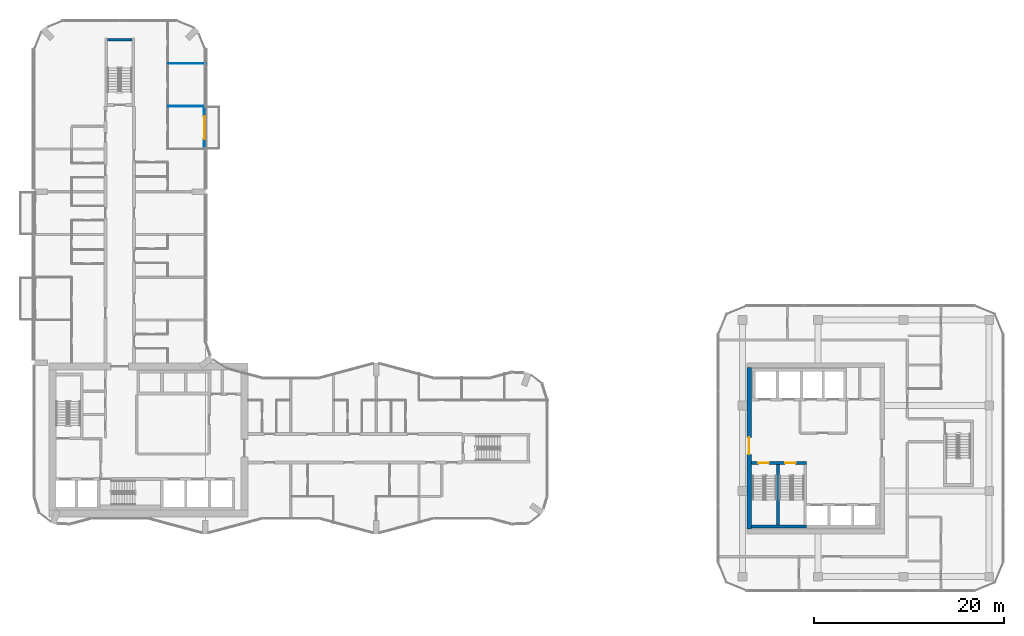
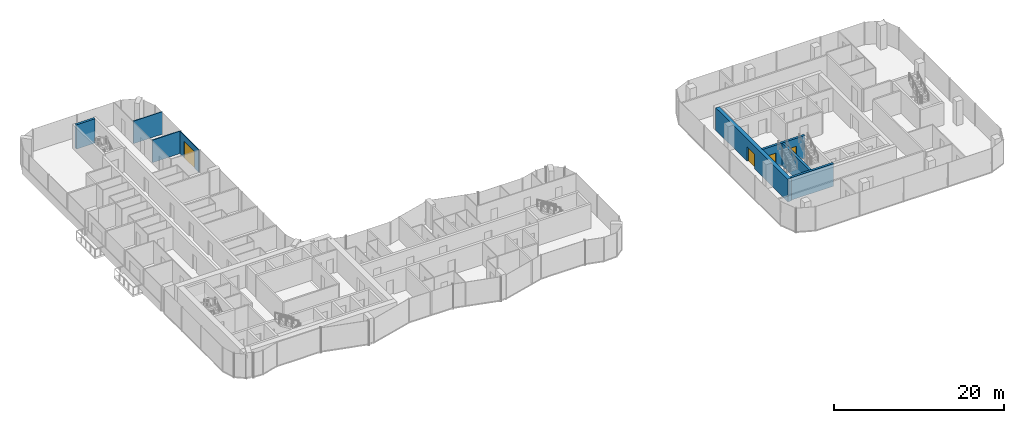
# One storey, part 18 of 24: 8 walls, 4 doors, 4 openings.
"""IFC4 building model written with IfcOpenShell, lengths in metres."""

import ifcopenshell
import ifcopenshell.guid

model = None  # the IFC model being written
_history = None  # IfcOwnerHistory: only IFC2X3 demands one
_inside = {}  # id of a spatial element -> (the spatial element, [elements in it])
_under = {}  # id of a project, library or spatial element -> (it, [spatial elements below it])
_declared = {}  # id of a project -> (the project, [libraries it declares])
_typed = {}  # id of a type object -> (the type object, [elements of that type])
_made_of = {}  # id of a material, layer set ... -> (it, [elements and type objects made of it])


def new_model(schema):
    """Start an empty IFC model of exactly this schema.

    Asked for "IFC4X3", IfcOpenShell would pick the latest addendum, in which some entities
    have other attributes; the version numbers below select the first issue.
    IFC2X3 requires an IfcOwnerHistory on every rooted entity: one is made here for all.
    """
    global model, _history
    if schema == "IFC4X3":
        model = ifcopenshell.file(schema_version=(4, 3, 0, 0))
    else:
        model = ifcopenshell.file(schema=schema)
    _inside.clear()
    _under.clear()
    _declared.clear()
    _typed.clear()
    _made_of.clear()
    _history = None
    if model.schema == "IFC2X3":
        org = make("IfcOrganization", Name="unknown")
        user = make(
            "IfcPersonAndOrganization",
            ThePerson=make("IfcPerson", FamilyName="unknown"),
            TheOrganization=org,
        )
        app = make(
            "IfcApplication",
            ApplicationDeveloper=org,
            Version="unknown",
            ApplicationFullName="unknown",
            ApplicationIdentifier="unknown",
        )
        _history = make(
            "IfcOwnerHistory",
            OwningUser=user,
            OwningApplication=app,
            ChangeAction="ADDED",
            CreationDate=0,
        )
    return model


def make(cls, **values):
    """One entity of the class cls with the attributes given. An attribute that is None is left unset."""
    return model.create_entity(
        cls, **{name: value for name, value in values.items() if value is not None}
    )


def rooted(cls, **values):
    """An entity with a GlobalId (a new one), such as an element, a storey or a relation."""
    return make(cls, GlobalId=ifcopenshell.guid.new(), OwnerHistory=_history, **values)


def si_unit(unit_type, name, prefix=None):
    """IfcSIUnit, for example si_unit("LENGTHUNIT", "METRE", prefix="MILLI")."""
    return make("IfcSIUnit", UnitType=unit_type, Prefix=prefix, Name=name)


def assignment(units):
    """IfcUnitAssignment: the units of a project."""
    return None if units is None else make("IfcUnitAssignment", Units=units)


def point(xyz):
    """IfcCartesianPoint."""
    return None if xyz is None else make("IfcCartesianPoint", Coordinates=xyz)


def direction(xyz):
    """IfcDirection."""
    return None if xyz is None else make("IfcDirection", DirectionRatios=xyz)


def frame(location, z_axis=None, x_axis=None):
    """IfcAxis2Placement3D, a coordinate frame: its origin and axes. An axis left out is left unset."""
    return make(
        "IfcAxis2Placement3D",
        Location=point(location),
        Axis=direction(z_axis),
        RefDirection=direction(x_axis),
    )


def frame_2d(location, x_axis=None):
    """IfcAxis2Placement2D, a coordinate frame in the plane: its origin and x axis."""
    return make(
        "IfcAxis2Placement2D", Location=point(location), RefDirection=direction(x_axis)
    )


def origin():
    """The frame at (0, 0, 0) with its axes left unset."""
    return frame((0.0, 0.0, 0.0))


def place(relative_to, where):
    """IfcLocalPlacement: puts the frame where relative to a parent placement (None: the world)."""
    return make(
        "IfcLocalPlacement", PlacementRelTo=relative_to, RelativePlacement=where
    )


def context(
    kind, dimensions, precision=None, world=None, true_north=None, identifier=None
):
    """IfcGeometricRepresentationContext, for example the 3D "Model" context."""
    return make(
        "IfcGeometricRepresentationContext",
        ContextIdentifier=identifier,
        ContextType=kind,
        CoordinateSpaceDimension=dimensions,
        Precision=precision,
        WorldCoordinateSystem=world,
        TrueNorth=true_north,
    )


def subcontext(parent, identifier, kind, view, scale=None):
    """IfcGeometricRepresentationSubContext, for example "Body" below "Model"."""
    return make(
        "IfcGeometricRepresentationSubContext",
        ContextIdentifier=identifier,
        ContextType=kind,
        ParentContext=parent,
        TargetScale=scale,
        TargetView=view,
    )


def project(units=None, contexts=None):
    """IfcProject with its units and contexts."""
    return rooted(
        "IfcProject",
        Name="project",
        RepresentationContexts=contexts,
        UnitsInContext=assignment(units),
    )


def spatial(cls, under=None, at=None, **own):
    """A site, building, storey or space (cls), placed at a placement, below another one or the project."""
    s = rooted(cls, ObjectPlacement=at, **own)
    if under is not None:
        _under.setdefault(under.id(), (under, []))[1].append(s)
    return s


def profile(cls, at=None, kind="AREA", **sizes):
    """A parametric profile (cls). Its sizes go by their IFC names, for example OverallWidth=200.0."""
    return make(cls, ProfileType=kind, Position=at, **sizes)


def rectangle(**sizes):
    """IfcRectangleProfileDef."""
    return profile("IfcRectangleProfileDef", **sizes)


def extrude(swept, where, along, depth):
    """IfcExtrudedAreaSolid: the profile swept, set in the frame where, extruded along a direction by depth."""
    return make(
        "IfcExtrudedAreaSolid",
        SweptArea=swept,
        Position=where,
        ExtrudedDirection=direction(along),
        Depth=depth,
    )


def shape(context_of_items, identifier, shape_type, items):
    """IfcShapeRepresentation: the items that make up one representation, for example the "Body"."""
    return make(
        "IfcShapeRepresentation",
        ContextOfItems=context_of_items,
        RepresentationIdentifier=identifier,
        RepresentationType=shape_type,
        Items=items,
    )


def material(Name=None, Category=None):
    """IfcMaterial."""
    return make("IfcMaterial", Name=Name, Category=Category)


def layer(
    of_material, thickness, ventilated=None, Name=None, Category=None, Priority=None
):
    """IfcMaterialLayer: one layer of a wall or slab, of a material (None: an air gap)."""
    return make(
        "IfcMaterialLayer",
        Material=of_material,
        LayerThickness=thickness,
        IsVentilated=ventilated,
        Name=Name,
        Category=Category,
        Priority=Priority,
    )


def layer_set(layers, Name=None):
    """IfcMaterialLayerSet."""
    return make("IfcMaterialLayerSet", MaterialLayers=layers, LayerSetName=Name)


def made_of(thing, what):
    """Note that an element or type object is made of a material, layer set ...; save() writes the relation."""
    if what is not None:
        _made_of.setdefault(what.id(), (what, []))[1].append(thing)
    return thing


def type_object(cls, material=None, **own):
    """A type object (cls), such as IfcWallType, which elements share."""
    return made_of(rooted(cls, **own), material)


def element(
    cls,
    number,
    at=None,
    inside=None,
    cuts=None,
    type_object=None,
    material=None,
    context=None,
    identifier="Body",
    shape_type=None,
    held_by="IfcProductDefinitionShape",
    body=None,
    shapes=None,
    **own,
):
    """One element of the class cls, such as IfcWall. Its Tag is "e" and its number.

    at: its placement. inside: the storey or other place that contains it. cuts: it is an
    opening in that element (IfcRelVoidsElement). A single representation is given by context,
    identifier, shape_type and body (its items); several are given by shapes. held_by: the class
    of the entity that holds the representations. save() writes the other relations.
    """
    e = rooted(cls, Tag="e%d" % number, ObjectPlacement=at, **own)
    if body is not None:
        shapes = [shape(context, identifier, shape_type, body)]
    if shapes is not None:
        e.Representation = make(held_by, Representations=shapes)
    if inside is not None:
        _inside.setdefault(inside.id(), (inside, []))[1].append(e)
    if cuts is not None:
        rooted(
            "IfcRelVoidsElement", RelatingBuildingElement=cuts, RelatedOpeningElement=e
        )
    if type_object is not None:
        _typed.setdefault(type_object.id(), (type_object, []))[1].append(e)
    return made_of(e, material)


def fill(opening, filler):
    """IfcRelFillsElement: the door or window that sits in an opening."""
    return rooted(
        "IfcRelFillsElement",
        RelatingOpeningElement=opening,
        RelatedBuildingElement=filler,
    )


def aggregate(whole, parts):
    """IfcRelAggregates: a whole, such as a stair, and the parts it consists of."""
    return rooted("IfcRelAggregates", RelatingObject=whole, RelatedObjects=parts)


def save(model, path):
    """Write the relations noted so far, then the file.

    IfcRelAggregates (storeys below a building ...), IfcRelContainedInSpatialStructure (elements
    in a storey), IfcRelDefinesByType, IfcRelAssociatesMaterial and IfcRelDeclares: one each for
    every whole, place, type object, material and project.
    """
    for whole, parts in _under.values():
        aggregate(whole, parts)
    for where, things in _inside.values():
        rooted(
            "IfcRelContainedInSpatialStructure",
            RelatedElements=things,
            RelatingStructure=where,
        )
    for kind, things in _typed.values():
        rooted("IfcRelDefinesByType", RelatedObjects=things, RelatingType=kind)
    for what, things in _made_of.values():
        rooted("IfcRelAssociatesMaterial", RelatedObjects=things, RelatingMaterial=what)
    for by, libraries in _declared.values():
        rooted("IfcRelDeclares", RelatingContext=by, RelatedDefinitions=libraries)
    model.write(path)


model = new_model("IFC4")

# Units and contexts
model_context = context("Model", 3, precision=1e-05, world=origin(), true_north=direction((0.0, 1.0)))
body_context = subcontext(model_context, "Body", "Model", "MODEL_VIEW")
ifc_project = project(units=[si_unit("LENGTHUNIT", "METRE"), si_unit("AREAUNIT", "SQUARE_METRE"), si_unit("VOLUMEUNIT", "CUBIC_METRE"), si_unit("PLANEANGLEUNIT", "RADIAN"), si_unit("MASSUNIT", "GRAM", prefix="KILO")], contexts=[model_context])

# Site, building, storey
site_placement = place(None, origin())
site = spatial("IfcSite", under=ifc_project, at=site_placement, CompositionType="ELEMENT")
building_placement = place(site_placement, origin())
building = spatial("IfcBuilding", under=site, at=building_placement, Name="Plateau Cross Towers", CompositionType="ELEMENT")
storey_placement = place(building_placement, frame((0.0, 0.0, 44.300048828125)))
storey = spatial("IfcBuildingStorey", under=building, at=storey_placement, Name="L10", CompositionType="ELEMENT", Elevation=44.300048828125)

# Wall, opening, door
ifc_material_1 = material(Name="Aluminium framed glazing", Category="aluminium")
ifc_layer_1 = layer(ifc_material_1, 0.10009765625)
ifc_layer_set_1 = layer_set([ifc_layer_1], Name="Aluminium framed glazing")
wall_type_1 = type_object("IfcWallType", Name="Balcony screen wall 100", PredefinedType="STANDARD", material=ifc_layer_set_1)
wall_1_placement = place(storey_placement, frame((17.89990234375, 45.0, 0.0), z_axis=(0.0, 0.0, 1.0), x_axis=(0.0, -1.0, 0.0)))
wall_1 = element("IfcWall", 1, at=wall_1_placement, inside=storey, type_object=wall_type_1, Name="Balcony screen wall A-BAL-L10-03", PredefinedType="STANDARD", context=body_context, shape_type="SweptSolid", body=[
    extrude(rectangle(XDim=4.5, YDim=0.10009765625, at=frame_2d((2.25, 0.0))), origin(), (0.0, 0.0, 1.0), 3.25),
])
opening_1_placement = place(wall_1_placement, frame((1.050048828125, 0.0, 0.0)))
opening_1 = element("IfcOpeningElement", 2, at=opening_1_placement, cuts=wall_1, Name="Opening D-B24", PredefinedType="OPENING", context=body_context, shape_type="SweptSolid", body=[
    extrude(rectangle(XDim=2.39990234375, YDim=2.39990234375, at=frame_2d((1.199951171875, 1.199951171875))), frame((0.0, 0.06005859375, 0.0), z_axis=(0.0, -1.0, 0.0), x_axis=(1.0, 0.0, 0.0)), (0.0, 0.0, 1.0), 0.1201171875),
])
ifc_material_2 = material(Name="Aluminium frame, double glazing", Category="aluminium")
door_type_1 = type_object("IfcDoorType", Name="Balcony sliding door 2400", OperationType="NOTDEFINED", PredefinedType="DOOR", material=ifc_material_2)
door_1_placement = place(opening_1_placement, origin())
door_1 = element("IfcDoor", 3, at=door_1_placement, inside=storey, type_object=door_type_1, Name="Balcony door A-BAL-L10-03", OperationType="SINGLE_SWING_LEFT", OverallHeight=2.39990234375, OverallWidth=2.39990234375, PredefinedType="DOOR", context=body_context, shape_type="SweptSolid", body=[
    extrude(rectangle(XDim=2.39990234375, YDim=2.39990234375, at=frame_2d((1.199951171875, 1.199951171875))), frame((0.0, 0.02490234375, 0.0), z_axis=(0.0, -1.0, 0.0), x_axis=(1.0, 0.0, 0.0)), (0.0, 0.0, 1.0), 0.050048828125),
])
fill(opening_1, door_1)

# Wall
ifc_material_3 = material(Name="Concrete C60/75", Category="concrete")
ifc_layer_2 = layer(ifc_material_3, 0.300048828125)
ifc_layer_set_2 = layer_set([ifc_layer_2], Name="Concrete C60/75")
wall_type_2 = type_object("IfcWallType", Name="Core shaft wall 300", PredefinedType="SHEAR", material=ifc_layer_set_2)
wall_2_placement = place(storey_placement, frame((75.47998046875, 0.75, 0.0), z_axis=(0.0, 0.0, 1.0), x_axis=(1.0, 0.0, 0.0)))
element("IfcWall", 4, at=wall_2_placement, inside=storey, type_object=wall_type_2, Name="B-sb-stS@L10", PredefinedType="SHEAR", context=body_context, shape_type="SweptSolid", body=[
    extrude(rectangle(XDim=5.820068359375, YDim=0.300048828125, at=frame_2d((2.91015625, 0.0))), origin(), (0.0, 0.0, 1.0), 3.25),
])

# Wall, openings, doors
wall_3_placement = place(storey_placement, frame((75.47998046875, 7.449951171875, 0.0), z_axis=(0.0, 0.0, 1.0), x_axis=(1.0, 0.0, 0.0)))
wall_3 = element("IfcWall", 5, at=wall_3_placement, inside=storey, type_object=wall_type_2, Name="B-sb-stN@L10", PredefinedType="SHEAR", context=body_context, shape_type="SweptSolid", body=[
    extrude(rectangle(XDim=5.820068359375, YDim=0.300048828125, at=frame_2d((2.91015625, 0.0))), origin(), (0.0, 0.0, 1.0), 3.25),
])
opening_2_placement = place(wall_3_placement, frame((0.75, 0.0, 0.0)))
opening_2 = element("IfcOpeningElement", 6, at=opening_2_placement, cuts=wall_3, Name="Opening SD", PredefinedType="OPENING", context=body_context, shape_type="SweptSolid", body=[
    extrude(rectangle(XDim=1.10009765625, YDim=2.10009765625, at=frame_2d((0.550048828125, 1.050048828125))), frame((0.0, 0.159912109375, 0.0), z_axis=(0.0, -1.0, 0.0), x_axis=(1.0, 0.0, 0.0)), (0.0, 0.0, 1.0), 0.320068359375),
])
opening_3_placement = place(wall_3_placement, frame((3.550048828125, 0.0, 0.0)))
opening_3 = element("IfcOpeningElement", 7, at=opening_3_placement, cuts=wall_3, Name="Opening SD", PredefinedType="OPENING", context=body_context, shape_type="SweptSolid", body=[
    extrude(rectangle(XDim=1.10009765625, YDim=2.10009765625, at=frame_2d((0.550048828125, 1.050048828125))), frame((0.0, 0.159912109375, 0.0), z_axis=(0.0, -1.0, 0.0), x_axis=(1.0, 0.0, 0.0)), (0.0, 0.0, 1.0), 0.320068359375),
])
ifc_material_4 = material(Name="Steel, fire-resisting leaf", Category="steel")
door_type_2 = type_object("IfcDoorType", Name="Stair door 1100", OperationType="NOTDEFINED", PredefinedType="DOOR", material=ifc_material_4)
door_2_placement = place(opening_2_placement, origin())
door_2 = element("IfcDoor", 8, at=door_2_placement, inside=storey, type_object=door_type_2, Name="Stair door SD", OperationType="SINGLE_SWING_RIGHT", OverallHeight=2.10009765625, OverallWidth=1.10009765625, PredefinedType="DOOR", context=body_context, shape_type="SweptSolid", body=[
    extrude(rectangle(XDim=1.10009765625, YDim=2.10009765625, at=frame_2d((0.550048828125, 1.050048828125))), frame((0.0, 0.02490234375, 0.0), z_axis=(0.0, -1.0, 0.0), x_axis=(1.0, 0.0, 0.0)), (0.0, 0.0, 1.0), 0.050048828125),
])
fill(opening_2, door_2)
door_3_placement = place(opening_3_placement, origin())
door_3 = element("IfcDoor", 9, at=door_3_placement, inside=storey, type_object=door_type_2, Name="Stair door SD", OperationType="SINGLE_SWING_LEFT", OverallHeight=2.10009765625, OverallWidth=1.10009765625, PredefinedType="DOOR", context=body_context, shape_type="SweptSolid", body=[
    extrude(rectangle(XDim=1.10009765625, YDim=2.10009765625, at=frame_2d((0.550048828125, 1.050048828125))), frame((0.0, 0.02490234375, 0.0), z_axis=(0.0, -1.0, 0.0), x_axis=(1.0, 0.0, 0.0)), (0.0, 0.0, 1.0), 0.050048828125),
])
fill(opening_3, door_3)

# Wall
wall_4_placement = place(storey_placement, frame((78.300048828125, 0.89990234375, 0.0), z_axis=(0.0, 0.0, 1.0), x_axis=(0.0, 1.0, 0.0)))
element("IfcWall", 10, at=wall_4_placement, inside=storey, type_object=wall_type_2, Name="B-sb-st1@L10", PredefinedType="SHEAR", context=body_context, shape_type="SweptSolid", body=[
    extrude(rectangle(XDim=6.400146484375, YDim=0.300048828125, at=frame_2d((3.2001953125, 0.0))), origin(), (0.0, 0.0, 1.0), 3.25),
])

# Wall, opening, door
ifc_layer_3 = layer(ifc_material_3, 0.5)
ifc_layer_set_3 = layer_set([ifc_layer_3], Name="Concrete C60/75")
wall_type_3 = type_object("IfcWallType", Name="Core shell wall 500", PredefinedType="SHEAR", material=ifc_layer_set_3)
wall_5_placement = place(storey_placement, frame((75.25, 0.5, 0.0), z_axis=(0.0, 0.0, 1.0), x_axis=(0.0, 1.0, 0.0)))
wall_5 = element("IfcWall", 11, at=wall_5_placement, inside=storey, type_object=wall_type_3, Name="B-core-W@L10", PredefinedType="SHEAR", context=body_context, shape_type="SweptSolid", body=[
    extrude(rectangle(XDim=17.0, YDim=0.5, at=frame_2d((8.5, 0.0))), origin(), (0.0, 0.0, 1.0), 3.25),
])
opening_4_placement = place(wall_5_placement, frame((7.85009765625, 0.0, 0.0)))
opening_4 = element("IfcOpeningElement", 12, at=opening_4_placement, cuts=wall_5, Name="Opening CD", PredefinedType="OPENING", context=body_context, shape_type="SweptSolid", body=[
    extrude(rectangle(XDim=1.800048828125, YDim=2.10009765625, at=frame_2d((0.89990234375, 1.050048828125))), frame((0.0, 0.260009765625, 0.0), z_axis=(0.0, -1.0, 0.0), x_axis=(1.0, 0.0, 0.0)), (0.0, 0.0, 1.0), 0.52001953125),
])
ifc_material_5 = material(Name="Steel, fire-resisting leaves", Category="steel")
door_type_3 = type_object("IfcDoorType", Name="Corridor door pair 1800", OperationType="NOTDEFINED", PredefinedType="DOOR", material=ifc_material_5)
door_4_placement = place(opening_4_placement, origin())
door_4 = element("IfcDoor", 13, at=door_4_placement, inside=storey, type_object=door_type_3, Name="Corridor door pair CD", OperationType="DOUBLE_DOOR_SINGLE_SWING", OverallHeight=2.10009765625, OverallWidth=1.800048828125, PredefinedType="DOOR", context=body_context, shape_type="SweptSolid", body=[
    extrude(rectangle(XDim=1.800048828125, YDim=2.10009765625, at=frame_2d((0.89990234375, 1.050048828125))), frame((0.0, 0.02490234375, 0.0), z_axis=(0.0, -1.0, 0.0), x_axis=(1.0, 0.0, 0.0)), (0.0, 0.0, 1.0), 0.050048828125),
])
fill(opening_4, door_4)

# Walls
ifc_material_6 = material(Name="Gypsum board on steel studs", Category="steel")
ifc_layer_4 = layer(ifc_material_6, 0.10009765625)
ifc_layer_set_4 = layer_set([ifc_layer_4], Name="Gypsum board on steel studs")
wall_type_4 = type_object("IfcWallType", Name="Flat partition 100", PredefinedType="PARTITIONING", material=ifc_layer_set_4)
wall_6_placement = place(storey_placement, frame((17.85009765625, 45.0, 0.0), z_axis=(0.0, 0.0, 1.0), x_axis=(-1.0, 0.0, 0.0)))
element("IfcWall", 14, at=wall_6_placement, inside=storey, type_object=wall_type_4, Name="Partition wall", PredefinedType="PARTITIONING", context=body_context, shape_type="SweptSolid", body=[
    extrude(rectangle(XDim=3.72509765625, YDim=0.10009765625, at=frame_2d((1.862548828125, 0.0))), origin(), (0.0, 0.0, 1.0), 3.25),
])
wall_7_placement = place(storey_placement, frame((18.080078125, 49.5, 0.0), z_axis=(0.0, 0.0, 1.0), x_axis=(-1.0, 0.0, 0.0)))
element("IfcWall", 15, at=wall_7_placement, inside=storey, type_object=wall_type_4, Name="Partition wall", PredefinedType="PARTITIONING", context=body_context, shape_type="SweptSolid", body=[
    extrude(rectangle(XDim=3.955078125, YDim=0.10009765625, at=frame_2d((1.9775390625, 0.0))), origin(), (0.0, 0.0, 1.0), 3.25),
])
ifc_layer_5 = layer(ifc_material_3, 0.300048828125)
ifc_layer_set_5 = layer_set([ifc_layer_5], Name="Concrete C60/75")
wall_type_5 = type_object("IfcWallType", Name="Stair tower wall 300", PredefinedType="SHEAR", material=ifc_layer_set_5)
wall_8_placement = place(storey_placement, frame((7.72509765625, 52.0, 0.0), z_axis=(0.0, 0.0, 1.0), x_axis=(1.0, 0.0, 0.0)))
element("IfcWall", 16, at=wall_8_placement, inside=storey, type_object=wall_type_5, Name="A-end-N-N@L10", PredefinedType="SHEAR", context=body_context, shape_type="SweptSolid", body=[
    extrude(rectangle(XDim=2.5498046875, YDim=0.300048828125, at=frame_2d((1.27490234375, 0.0))), origin(), (0.0, 0.0, 1.0), 3.5),
])

save(model, "model.ifc")
